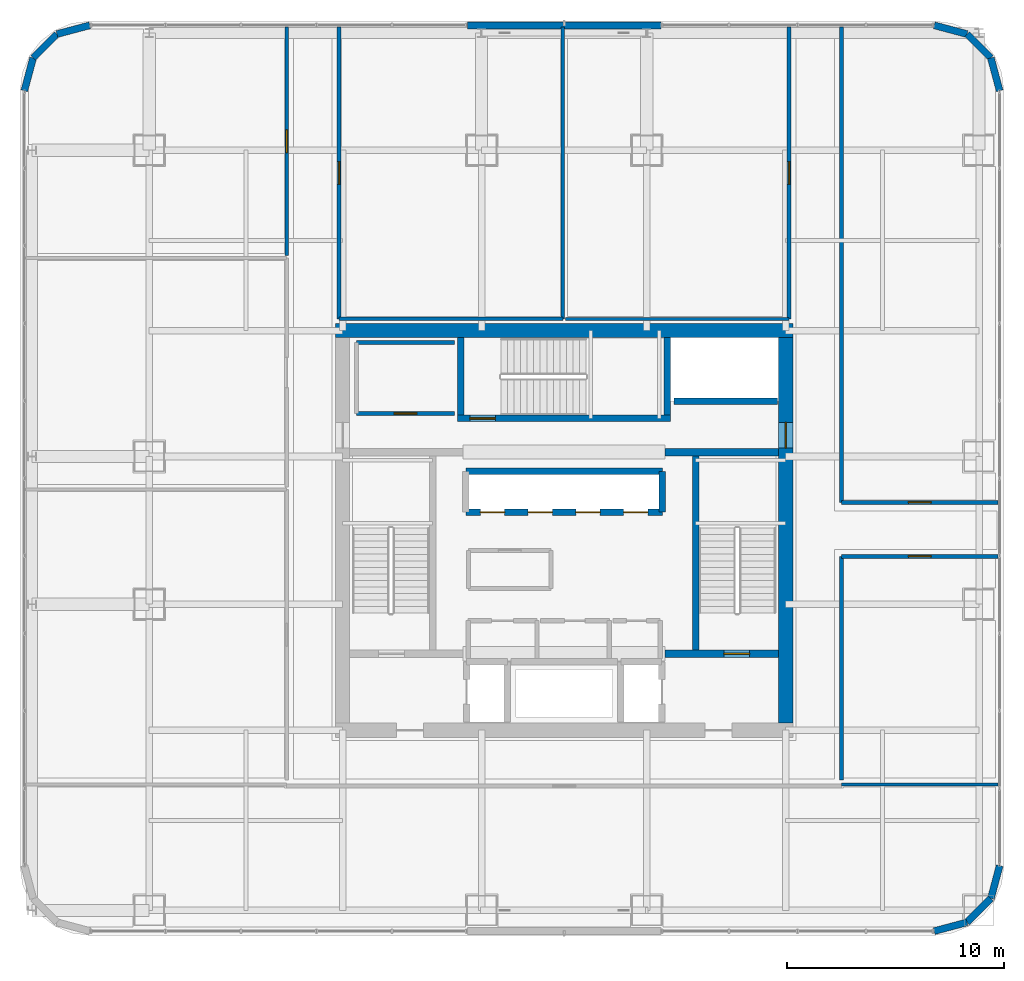
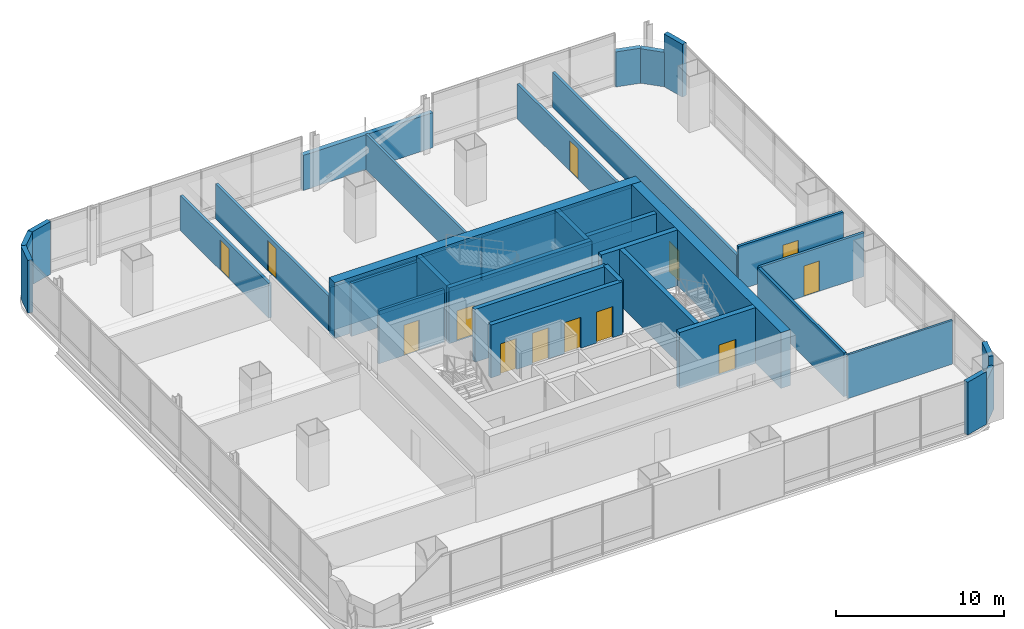
# One storey, part 30 of 38: 35 walls, 13 doors, 13 openings.
"""IFC4 building model written with IfcOpenShell, lengths in metres."""

from ifc_helpers import new_model, si_unit, direction, frame, frame_2d, origin, place, context, subcontext, project, spatial, rectangle, extrude, material, layer, layer_set, type_object, element, fill, save


model = new_model("IFC4")

# Units and contexts
model_context = context("Model", 3, precision=1e-05, world=origin(), true_north=direction((0.0, 1.0)))
body_context = subcontext(model_context, "Body", "Model", "MODEL_VIEW")
ifc_project = project(units=[si_unit("LENGTHUNIT", "METRE"), si_unit("AREAUNIT", "SQUARE_METRE"), si_unit("VOLUMEUNIT", "CUBIC_METRE"), si_unit("PLANEANGLEUNIT", "RADIAN"), si_unit("MASSUNIT", "GRAM", prefix="KILO")], contexts=[model_context])

# Site, building, storey
site_placement = place(None, origin())
site = spatial("IfcSite", under=ifc_project, at=site_placement, CompositionType="ELEMENT")
building_placement = place(site_placement, origin())
building = spatial("IfcBuilding", under=site, at=building_placement, Name="Punatoya Terracotta Tower", CompositionType="ELEMENT")
storey_placement = place(building_placement, frame((0.0, 0.0, 156.0)))
storey = spatial("IfcBuildingStorey", under=building, at=storey_placement, Name="L36", CompositionType="ELEMENT", Elevation=156.0)

# Wall
ifc_material_1 = material(Name="Concrete C60/75", Category="concrete")
ifc_layer_1 = layer(ifc_material_1, 0.64990234375)
ifc_layer_set_1 = layer_set([ifc_layer_1], Name="Concrete C60/75")
wall_type_1 = type_object("IfcWallType", Name="WL-COR-650", PredefinedType="SHEAR", material=ifc_layer_set_1)
wall_1_placement = place(storey_placement, frame((-10.52490234375, 9.199951171875, 0.0), z_axis=(0.0, 0.0, 1.0), x_axis=(1.0, 0.0, 0.0)))
element("IfcWall", 1, at=wall_1_placement, inside=storey, type_object=wall_type_1, Name="L36 Core Shear Wall N", PredefinedType="SHEAR", context=body_context, shape_type="SweptSolid", body=[
    extrude(rectangle(XDim=21.0498046875, YDim=0.64990234375, at=frame_2d((10.52490234375, 0.0))), origin(), (0.0, 0.0, 1.0), 4.050048828125),
])

# Wall, opening, door
wall_2_placement = place(storey_placement, frame((10.199951171875, 8.875, 0.0), z_axis=(0.0, 0.0, 1.0), x_axis=(0.0, -1.0, 0.0)))
wall_2 = element("IfcWall", 2, at=wall_2_placement, inside=storey, type_object=wall_type_1, Name="L36 Core Shear Wall E", PredefinedType="SHEAR", context=body_context, shape_type="SweptSolid", body=[
    extrude(rectangle(XDim=17.75, YDim=0.64990234375, at=frame_2d((8.875, 0.0))), origin(), (0.0, 0.0, 1.0), 4.050048828125),
])
opening_1_placement = place(wall_2_placement, frame((3.905029296875, 0.0, 0.0)))
opening_1 = element("IfcOpeningElement", 3, at=opening_1_placement, cuts=wall_2, Name="Opening SD-01", PredefinedType="OPENING", context=body_context, shape_type="SweptSolid", body=[
    extrude(rectangle(XDim=1.179931640625, YDim=2.199951171875, at=frame_2d((0.58984375, 1.10009765625))), frame((0.0, 0.3349609375, 0.0), z_axis=(0.0, -1.0, 0.0), x_axis=(1.0, 0.0, 0.0)), (0.0, 0.0, 1.0), 0.669921875),
])
ifc_material_2 = material(Name="Galvanised Steel Pressurized Stair Fire Door", Category="steel")
door_type_1 = type_object("IfcDoorType", Name="DR-STR-1180", OperationType="NOTDEFINED", PredefinedType="DOOR", material=ifc_material_2)
door_1_placement = place(opening_1_placement, origin())
door_1 = element("IfcDoor", 4, at=door_1_placement, inside=storey, type_object=door_type_1, Name="L36 Central Lift Lobby East Fire Door", OperationType="SINGLE_SWING_RIGHT", OverallHeight=2.199951171875, OverallWidth=1.179931640625, PredefinedType="DOOR", context=body_context, shape_type="SweptSolid", body=[
    extrude(rectangle(XDim=1.179931640625, YDim=2.199951171875, at=frame_2d((0.58984375, 1.10009765625))), frame((0.0, 0.02490234375, 0.0), z_axis=(0.0, -1.0, 0.0), x_axis=(1.0, 0.0, 0.0)), (0.0, 0.0, 1.0), 0.050048828125),
])
fill(opening_1, door_1)

# Wall
ifc_material_3 = material(Name="Gypsum Fireboard + Steel Stud", Category="steel")
ifc_layer_2 = layer(ifc_material_3, 0.179931640625)
ifc_layer_set_2 = layer_set([ifc_layer_2], Name="Gypsum Fireboard + Steel Stud")
wall_type_2 = type_object("IfcWallType", Name="WL-CORR-180", PredefinedType="PARTITIONING", material=ifc_layer_set_2)
wall_3_placement = place(storey_placement, frame((-5.050048828125, 8.64990234375, 0.0), z_axis=(0.0, 0.0, 1.0), x_axis=(-1.0, 0.0, 0.0)))
element("IfcWall", 5, at=wall_3_placement, inside=storey, type_object=wall_type_2, Name="L36 West Core Records Office Partition 12", PredefinedType="PARTITIONING", context=body_context, shape_type="SweptSolid", body=[
    extrude(rectangle(XDim=4.5, YDim=0.179931640625, at=frame_2d((2.25, 0.0))), origin(), (0.0, 0.0, 1.0), 3.830078125),
])

# Wall, opening, door
wall_4_placement = place(storey_placement, frame((-9.550048828125, 5.3798828125, 0.0), z_axis=(0.0, 0.0, 1.0), x_axis=(1.0, 0.0, 0.0)))
wall_4 = element("IfcWall", 6, at=wall_4_placement, inside=storey, type_object=wall_type_2, Name="L36 West Core Records Office Partition 14", PredefinedType="PARTITIONING", context=body_context, shape_type="SweptSolid", body=[
    extrude(rectangle(XDim=4.5, YDim=0.179931640625, at=frame_2d((2.25, 0.0))), origin(), (0.0, 0.0, 1.0), 3.830078125),
])
opening_2_placement = place(wall_4_placement, frame((1.72509765625, 0.0, 0.0)))
opening_2 = element("IfcOpeningElement", 7, at=opening_2_placement, cuts=wall_4, Name="Opening OD-01", PredefinedType="OPENING", context=body_context, shape_type="SweptSolid", body=[
    extrude(rectangle(XDim=1.050048828125, YDim=2.199951171875, at=frame_2d((0.52490234375, 1.10009765625))), frame((0.0, 0.099853515625, 0.0), z_axis=(0.0, -1.0, 0.0), x_axis=(1.0, 0.0, 0.0)), (0.0, 0.0, 1.0), 0.199951171875),
])
ifc_material_4 = material(Name="Bengal Teak Solid-Core Leaf")
door_type_2 = type_object("IfcDoorType", Name="DR-OFF-1050", OperationType="NOTDEFINED", PredefinedType="DOOR", material=ifc_material_4)
door_2_placement = place(opening_2_placement, origin())
door_2 = element("IfcDoor", 8, at=door_2_placement, inside=storey, type_object=door_type_2, Name="L36 West Records Office Door", OperationType="SINGLE_SWING_LEFT", OverallHeight=2.199951171875, OverallWidth=1.050048828125, PredefinedType="DOOR", context=body_context, shape_type="SweptSolid", body=[
    extrude(rectangle(XDim=1.050048828125, YDim=2.199951171875, at=frame_2d((0.52490234375, 1.10009765625))), frame((0.0, 0.02490234375, 0.0), z_axis=(0.0, -1.0, 0.0), x_axis=(1.0, 0.0, 0.0)), (0.0, 0.0, 1.0), 0.050048828125),
])
fill(opening_2, door_2)

wall_5_placement = place(storey_placement, frame((12.77001953125, -1.199951171875, 0.0), z_axis=(0.0, 0.0, 1.0), x_axis=(1.0, 0.0, 0.0)))
wall_5 = element("IfcWall", 9, at=wall_5_placement, inside=storey, type_object=wall_type_2, Name="L36 Open-Plan Analytical Practice Office Partition 18", PredefinedType="PARTITIONING", context=body_context, shape_type="SweptSolid", body=[
    extrude(rectangle(XDim=7.199951171875, YDim=0.179931640625, at=frame_2d((3.60009765625, 0.0))), origin(), (0.0, 0.0, 1.0), 3.174072265625),
])
opening_3_placement = place(wall_5_placement, frame((3.074951171875, 0.0, 0.0)))
opening_3 = element("IfcOpeningElement", 10, at=opening_3_placement, cuts=wall_5, Name="Opening OD-01", PredefinedType="OPENING", context=body_context, shape_type="SweptSolid", body=[
    extrude(rectangle(XDim=1.050048828125, YDim=2.199951171875, at=frame_2d((0.52490234375, 1.10009765625))), frame((0.0, 0.099853515625, 0.0), z_axis=(0.0, -1.0, 0.0), x_axis=(1.0, 0.0, 0.0)), (0.0, 0.0, 1.0), 0.199951171875),
])
door_3_placement = place(opening_3_placement, origin())
door_3 = element("IfcDoor", 11, at=door_3_placement, inside=storey, type_object=door_type_2, Name="L36 Open-Plan Analytical Practice Office Door", OperationType="SINGLE_SWING_LEFT", OverallHeight=2.199951171875, OverallWidth=1.050048828125, PredefinedType="DOOR", context=body_context, shape_type="SweptSolid", body=[
    extrude(rectangle(XDim=1.050048828125, YDim=2.199951171875, at=frame_2d((0.52490234375, 1.10009765625))), frame((0.0, 0.02490234375, 0.0), z_axis=(0.0, -1.0, 0.0), x_axis=(1.0, 0.0, 0.0)), (0.0, 0.0, 1.0), 0.050048828125),
])
fill(opening_3, door_3)

# Wall
wall_6_placement = place(storey_placement, frame((12.77001953125, -11.489990234375, 0.0), z_axis=(0.0, 0.0, 1.0), x_axis=(0.0, 1.0, 0.0)))
element("IfcWall", 12, at=wall_6_placement, inside=storey, type_object=wall_type_2, Name="L36 Open-Plan Analytical Practice Office Partition 19", PredefinedType="PARTITIONING", context=body_context, shape_type="SweptSolid", body=[
    extrude(rectangle(XDim=10.2900390625, YDim=0.179931640625, at=frame_2d((5.14501953125, 0.0))), origin(), (0.0, 0.0, 1.0), 3.174072265625),
])

# Wall, opening, door
wall_7_placement = place(storey_placement, frame((19.969970703125, 1.2900390625, 0.0), z_axis=(0.0, 0.0, 1.0), x_axis=(-1.0, 0.0, 0.0)))
wall_7 = element("IfcWall", 13, at=wall_7_placement, inside=storey, type_object=wall_type_2, Name="L36 Digital Reference Library Partition 24", PredefinedType="PARTITIONING", context=body_context, shape_type="SweptSolid", body=[
    extrude(rectangle(XDim=7.199951171875, YDim=0.179931640625, at=frame_2d((3.60009765625, 0.0))), origin(), (0.0, 0.0, 1.0), 3.174072265625),
])
opening_4_placement = place(wall_7_placement, frame((3.074951171875, 0.0, 0.0)))
opening_4 = element("IfcOpeningElement", 14, at=opening_4_placement, cuts=wall_7, Name="Opening OD-01", PredefinedType="OPENING", context=body_context, shape_type="SweptSolid", body=[
    extrude(rectangle(XDim=1.050048828125, YDim=2.199951171875, at=frame_2d((0.52490234375, 1.10009765625))), frame((0.0, 0.099853515625, 0.0), z_axis=(0.0, -1.0, 0.0), x_axis=(1.0, 0.0, 0.0)), (0.0, 0.0, 1.0), 0.199951171875),
])
door_4_placement = place(opening_4_placement, origin())
door_4 = element("IfcDoor", 15, at=door_4_placement, inside=storey, type_object=door_type_2, Name="L36 Digital Reference Library Door", OperationType="SINGLE_SWING_RIGHT", OverallHeight=2.199951171875, OverallWidth=1.050048828125, PredefinedType="DOOR", context=body_context, shape_type="SweptSolid", body=[
    extrude(rectangle(XDim=1.050048828125, YDim=2.199951171875, at=frame_2d((0.52490234375, 1.10009765625))), frame((0.0, 0.02490234375, 0.0), z_axis=(0.0, -1.0, 0.0), x_axis=(1.0, 0.0, 0.0)), (0.0, 0.0, 1.0), 0.050048828125),
])
fill(opening_4, door_4)

# Wall
wall_8_placement = place(storey_placement, frame((12.77001953125, 1.2900390625, 0.0), z_axis=(0.0, 0.0, 1.0), x_axis=(0.0, 1.0, 0.0)))
element("IfcWall", 16, at=wall_8_placement, inside=storey, type_object=wall_type_2, Name="L36 Digital Reference Library Partition 25", PredefinedType="PARTITIONING", context=body_context, shape_type="SweptSolid", body=[
    extrude(rectangle(XDim=21.8798828125, YDim=0.179931640625, at=frame_2d((10.93994140625, 0.0))), origin(), (0.0, 0.0, 1.0), 2.5439453125),
])

# Wall, opening, door
wall_9_placement = place(storey_placement, frame((-10.360107421875, 9.739990234375, 0.0), z_axis=(0.0, 0.0, 1.0), x_axis=(0.0, 1.0, 0.0)))
wall_9 = element("IfcWall", 17, at=wall_9_placement, inside=storey, type_object=wall_type_2, Name="L36 Open-Plan Staff Tea Pantry Partition 28", PredefinedType="PARTITIONING", context=body_context, shape_type="SweptSolid", body=[
    extrude(rectangle(XDim=13.429931640625, YDim=0.179931640625, at=frame_2d((6.71484375, 0.0))), origin(), (0.0, 0.0, 1.0), 2.5439453125),
])
opening_5_placement = place(wall_9_placement, frame((6.18994140625, 0.0, 0.0)))
opening_5 = element("IfcOpeningElement", 18, at=opening_5_placement, cuts=wall_9, Name="Opening OD-01", PredefinedType="OPENING", context=body_context, shape_type="SweptSolid", body=[
    extrude(rectangle(XDim=1.050048828125, YDim=2.199951171875, at=frame_2d((0.52490234375, 1.10009765625))), frame((0.0, 0.099853515625, 0.0), z_axis=(0.0, -1.0, 0.0), x_axis=(1.0, 0.0, 0.0)), (0.0, 0.0, 1.0), 0.199951171875),
])
door_5_placement = place(opening_5_placement, origin())
door_5 = element("IfcDoor", 19, at=door_5_placement, inside=storey, type_object=door_type_2, Name="L36 Open-Plan Staff Tea Pantry Door", OperationType="SINGLE_SWING_LEFT", OverallHeight=2.199951171875, OverallWidth=1.050048828125, PredefinedType="DOOR", context=body_context, shape_type="SweptSolid", body=[
    extrude(rectangle(XDim=1.050048828125, YDim=2.199951171875, at=frame_2d((0.52490234375, 1.10009765625))), frame((0.0, 0.02490234375, 0.0), z_axis=(0.0, -1.0, 0.0), x_axis=(1.0, 0.0, 0.0)), (0.0, 0.0, 1.0), 0.050048828125),
])
fill(opening_5, door_5)

wall_10_placement = place(storey_placement, frame((10.360107421875, 23.169921875, 0.0), z_axis=(0.0, 0.0, 1.0), x_axis=(0.0, -1.0, 0.0)))
wall_10 = element("IfcWall", 20, at=wall_10_placement, inside=storey, type_object=wall_type_2, Name="L36 Open-Plan Wellness Quiet Room Partition 30", PredefinedType="PARTITIONING", context=body_context, shape_type="SweptSolid", body=[
    extrude(rectangle(XDim=13.429931640625, YDim=0.179931640625, at=frame_2d((6.71484375, 0.0))), origin(), (0.0, 0.0, 1.0), 2.5439453125),
])
opening_6_placement = place(wall_10_placement, frame((6.18994140625, 0.0, 0.0)))
opening_6 = element("IfcOpeningElement", 21, at=opening_6_placement, cuts=wall_10, Name="Opening OD-01", PredefinedType="OPENING", context=body_context, shape_type="SweptSolid", body=[
    extrude(rectangle(XDim=1.050048828125, YDim=2.199951171875, at=frame_2d((0.52490234375, 1.10009765625))), frame((0.0, 0.099853515625, 0.0), z_axis=(0.0, -1.0, 0.0), x_axis=(1.0, 0.0, 0.0)), (0.0, 0.0, 1.0), 0.199951171875),
])
door_6_placement = place(opening_6_placement, origin())
door_6 = element("IfcDoor", 22, at=door_6_placement, inside=storey, type_object=door_type_2, Name="L36 Open-Plan Wellness Quiet Room Door", OperationType="SINGLE_SWING_RIGHT", OverallHeight=2.199951171875, OverallWidth=1.050048828125, PredefinedType="DOOR", context=body_context, shape_type="SweptSolid", body=[
    extrude(rectangle(XDim=1.050048828125, YDim=2.199951171875, at=frame_2d((0.52490234375, 1.10009765625))), frame((0.0, 0.02490234375, 0.0), z_axis=(0.0, -1.0, 0.0), x_axis=(1.0, 0.0, 0.0)), (0.0, 0.0, 1.0), 0.050048828125),
])
fill(opening_6, door_6)

wall_11_placement = place(storey_placement, frame((-12.77001953125, 23.169921875, 0.0), z_axis=(0.0, 0.0, 1.0), x_axis=(0.0, -1.0, 0.0)))
wall_11 = element("IfcWall", 23, at=wall_11_placement, inside=storey, type_object=wall_type_2, Name="L36 Open-Plan Systems Engineering Office Partition 31", PredefinedType="PARTITIONING", context=body_context, shape_type="SweptSolid", body=[
    extrude(rectangle(XDim=10.52001953125, YDim=0.179931640625, at=frame_2d((5.260009765625, 0.0))), origin(), (0.0, 0.0, 1.0), 2.5439453125),
])
opening_7_placement = place(wall_11_placement, frame((4.735107421875, 0.0, 0.0)))
opening_7 = element("IfcOpeningElement", 24, at=opening_7_placement, cuts=wall_11, Name="Opening OD-01", PredefinedType="OPENING", context=body_context, shape_type="SweptSolid", body=[
    extrude(rectangle(XDim=1.050048828125, YDim=2.199951171875, at=frame_2d((0.52490234375, 1.10009765625))), frame((0.0, 0.099853515625, 0.0), z_axis=(0.0, -1.0, 0.0), x_axis=(1.0, 0.0, 0.0)), (0.0, 0.0, 1.0), 0.199951171875),
])
door_7_placement = place(opening_7_placement, origin())
door_7 = element("IfcDoor", 25, at=door_7_placement, inside=storey, type_object=door_type_2, Name="L36 Open-Plan Systems Engineering Office Door", OperationType="SINGLE_SWING_LEFT", OverallHeight=2.199951171875, OverallWidth=1.050048828125, PredefinedType="DOOR", context=body_context, shape_type="SweptSolid", body=[
    extrude(rectangle(XDim=1.050048828125, YDim=2.199951171875, at=frame_2d((0.52490234375, 1.10009765625))), frame((0.0, 0.02490234375, 0.0), z_axis=(0.0, -1.0, 0.0), x_axis=(1.0, 0.0, 0.0)), (0.0, 0.0, 1.0), 0.050048828125),
])
fill(opening_7, door_7)

# Walls
ifc_material_5 = material(Name="Precast concrete C40/50", Category="concrete")
ifc_layer_3 = layer(ifc_material_5, 0.320068359375)
ifc_layer_set_3 = layer_set([ifc_layer_3], Name="Precast concrete C40/50")
wall_type_3 = type_object("IfcWallType", Name="WL-EXT-320", PredefinedType="SOLIDWALL", material=ifc_layer_set_3)
wall_12_placement = place(storey_placement, frame((17.036865234375, -18.449951171875, 0.0), z_axis=(0.0, 0.0, 1.0), x_axis=(0.966224582397, 0.257701486942, 0.0)))
element("IfcWall", 26, at=wall_12_placement, inside=storey, type_object=wall_type_3, Name="L36 Rounded Terracotta Corner Pier 02", PredefinedType="SOLIDWALL", context=body_context, shape_type="SweptSolid", body=[
    extrude(rectangle(XDim=1.565185546875, YDim=0.320068359375, at=frame_2d((0.78271484375, 0.0))), origin(), (0.0, 0.0, 1.0), 3.830078125),
])
wall_13_placement = place(storey_placement, frame((18.549072265625, -18.046630859375, 0.0), z_axis=(0.0, 0.0, 1.0), x_axis=(0.707106781187, 0.707106781187, 0.0)))
element("IfcWall", 27, at=wall_13_placement, inside=storey, type_object=wall_type_3, Name="L36 Rounded Terracotta Corner Pier 03", PredefinedType="SOLIDWALL", context=body_context, shape_type="SweptSolid", body=[
    extrude(rectangle(XDim=1.552001953125, YDim=0.320068359375, at=frame_2d((0.77587890625, 0.0))), origin(), (0.0, 0.0, 1.0), 3.174072265625),
])
for number, where, z_axis, x_axis, name in (
    (28, (19.646484375, -16.94921875, 0.0), (0.0, 0.0, 1.0), (0.257847112249, 0.966185730957, 0.0), "L36 Rounded Terracotta Corner Pier 04"),
    (29, (20.050048828125, 20.23681640625, 0.0), (0.0, 0.0, 1.0), (-0.257847112249, 0.966185730957, 0.0), "L36 Rounded Terracotta Corner Pier 06"),
):
    element("IfcWall", number, at=place(storey_placement, frame(where, z_axis=z_axis, x_axis=x_axis)), inside=storey, type_object=wall_type_3, Name=name, PredefinedType="SOLIDWALL", context=body_context, shape_type="SweptSolid", body=[
        extrude(rectangle(XDim=1.565185546875, YDim=0.320068359375, at=frame_2d((0.78271484375, 0.0))), origin(), (0.0, 0.0, 1.0), 3.830078125),
    ])
wall_14_placement = place(storey_placement, frame((19.646484375, 21.7490234375, 0.0), z_axis=(0.0, 0.0, 1.0), x_axis=(-0.707028130747, 0.707185422879, 0.0)))
element("IfcWall", 30, at=wall_14_placement, inside=storey, type_object=wall_type_3, Name="L36 Rounded Terracotta Corner Pier 07", PredefinedType="SOLIDWALL", context=body_context, shape_type="SweptSolid", body=[
    extrude(rectangle(XDim=1.55224609375, YDim=0.320068359375, at=frame_2d((0.776123046875, 0.0))), origin(), (0.0, 0.0, 1.0), 2.50390625),
])
wall_15_placement = place(storey_placement, frame((18.549072265625, 22.8466796875, 0.0), z_axis=(0.0, 0.0, 1.0), x_axis=(-0.966224582397, 0.257701486942, 0.0)))
element("IfcWall", 31, at=wall_15_placement, inside=storey, type_object=wall_type_3, Name="L36 Rounded Terracotta Corner Pier 08", PredefinedType="SOLIDWALL", context=body_context, shape_type="SweptSolid", body=[
    extrude(rectangle(XDim=1.565185546875, YDim=0.320068359375, at=frame_2d((0.78271484375, 0.0))), origin(), (0.0, 0.0, 1.0), 2.5439453125),
])
wall_16_placement = place(storey_placement, frame((4.449951171875, 23.25, 0.0), z_axis=(0.0, 0.0, 1.0), x_axis=(-1.0, 0.0, 0.0)))
element("IfcWall", 32, at=wall_16_placement, inside=storey, type_object=wall_type_3, Name="L36 Terracotta Braced Facade Wall N1", PredefinedType="SOLIDWALL", context=body_context, shape_type="SweptSolid", body=[
    extrude(rectangle(XDim=8.89990234375, YDim=0.320068359375, at=frame_2d((4.449951171875, 0.0))), origin(), (0.0, 0.0, 1.0), 2.5439453125),
])
wall_17_placement = place(storey_placement, frame((-21.8369140625, 23.25, 0.0), z_axis=(0.0, 0.0, 1.0), x_axis=(-0.966224582397, -0.257701486942, 0.0)))
element("IfcWall", 33, at=wall_17_placement, inside=storey, type_object=wall_type_3, Name="L36 Rounded Terracotta Corner Pier 10", PredefinedType="SOLIDWALL", context=body_context, shape_type="SweptSolid", body=[
    extrude(rectangle(XDim=1.565185546875, YDim=0.320068359375, at=frame_2d((0.78271484375, 0.0))), origin(), (0.0, 0.0, 1.0), 3.830078125),
])
wall_18_placement = place(storey_placement, frame((-23.34912109375, 22.8466796875, 0.0), z_axis=(0.0, 0.0, 1.0), x_axis=(-0.707028130747, -0.707185422879, 0.0)))
element("IfcWall", 34, at=wall_18_placement, inside=storey, type_object=wall_type_3, Name="L36 Rounded Terracotta Corner Pier 11", PredefinedType="SOLIDWALL", context=body_context, shape_type="SweptSolid", body=[
    extrude(rectangle(XDim=1.55224609375, YDim=0.320068359375, at=frame_2d((0.776123046875, 0.0))), origin(), (0.0, 0.0, 1.0), 3.830078125),
])
wall_19_placement = place(storey_placement, frame((-24.446533203125, 21.7490234375, 0.0), z_axis=(0.0, 0.0, 1.0), x_axis=(-0.257847112249, -0.966185730957, 0.0)))
element("IfcWall", 35, at=wall_19_placement, inside=storey, type_object=wall_type_3, Name="L36 Rounded Terracotta Corner Pier 12", PredefinedType="SOLIDWALL", context=body_context, shape_type="SweptSolid", body=[
    extrude(rectangle(XDim=1.565185546875, YDim=0.320068359375, at=frame_2d((0.78271484375, 0.0))), origin(), (0.0, 0.0, 1.0), 3.830078125),
])
ifc_material_6 = material(Name="Acoustic Gypsum + Steel Stud", Category="steel")
ifc_layer_4 = layer(ifc_material_6, 0.139892578125)
ifc_layer_set_4 = layer_set([ifc_layer_4], Name="Acoustic Gypsum + Steel Stud")
wall_type_4 = type_object("IfcWallType", Name="WL-OFF-140", PredefinedType="PARTITIONING", material=ifc_layer_set_4)
wall_20_placement = place(storey_placement, frame((12.77001953125, -11.7099609375, 0.0), z_axis=(0.0, 0.0, 1.0), x_axis=(1.0, 0.0, 0.0)))
element("IfcWall", 36, at=wall_20_placement, inside=storey, type_object=wall_type_4, Name="L36 Open Workplace Studio Partition 17", PredefinedType="PARTITIONING", context=body_context, shape_type="SweptSolid", body=[
    extrude(rectangle(XDim=7.199951171875, YDim=0.139892578125, at=frame_2d((3.60009765625, 0.0))), origin(), (0.0, 0.0, 1.0), 3.174072265625),
])
wall_21_placement = place(storey_placement, frame((10.360107421875, 9.739990234375, 0.0), z_axis=(0.0, 0.0, 1.0), x_axis=(-1.0, 0.0, 0.0)))
element("IfcWall", 37, at=wall_21_placement, inside=storey, type_object=wall_type_4, Name="L36 Open-Plan Wellness Quiet Room Partition 29", PredefinedType="PARTITIONING", context=body_context, shape_type="SweptSolid", body=[
    extrude(rectangle(XDim=10.300048828125, YDim=0.139892578125, at=frame_2d((5.14990234375, 0.0))), origin(), (0.0, 0.0, 1.0), 3.174072265625),
])
ifc_material_7 = material(Name="Concrete C40/50", Category="concrete")
ifc_layer_5 = layer(ifc_material_7, 0.300048828125)
ifc_layer_set_5 = layer_set([ifc_layer_5], Name="Concrete C40/50")
wall_type_5 = type_object("IfcWallType", Name="WL-SHF-300", PredefinedType="SOLIDWALL", material=ifc_layer_set_5)
wall_22_placement = place(storey_placement, frame((6.050048828125, 3.449951171875, 0.0), z_axis=(0.0, 0.0, 1.0), x_axis=(0.0, -1.0, 0.0)))
element("IfcWall", 38, at=wall_22_placement, inside=storey, type_object=wall_type_5, Name="L36 Structural Stair Shaft Wall SW-ST2-W", PredefinedType="SOLIDWALL", context=body_context, shape_type="SweptSolid", body=[
    extrude(rectangle(XDim=8.949951171875, YDim=0.300048828125, at=frame_2d((4.47509765625, 0.0))), origin(), (0.0, 0.0, 1.0), 4.050048828125),
])
for number, where, z_axis, x_axis, name in (
    (39, (-4.75, 5.300048828125, 0.0), (0.0, 0.0, 1.0), (0.0, 1.0, 0.0), "L36 Structural Stair Shaft Wall SW-ST3-W"),
    (40, (4.75, 8.875, 0.0), (0.0, 0.0, 1.0), (0.0, -1.0, 0.0), "L36 Structural Stair Shaft Wall SW-ST3-E"),
):
    element("IfcWall", number, at=place(storey_placement, frame(where, z_axis=z_axis, x_axis=x_axis)), inside=storey, type_object=wall_type_5, Name=name, PredefinedType="SOLIDWALL", context=body_context, shape_type="SweptSolid", body=[
        extrude(rectangle(XDim=3.574951171875, YDim=0.300048828125, at=frame_2d((1.78759765625, 0.0))), origin(), (0.0, 0.0, 1.0), 4.050048828125),
    ])

# Wall, opening, door
wall_23_placement = place(storey_placement, frame((-4.89990234375, 5.14990234375, 0.0), z_axis=(0.0, 0.0, 1.0), x_axis=(1.0, 0.0, 0.0)))
wall_23 = element("IfcWall", 41, at=wall_23_placement, inside=storey, type_object=wall_type_5, Name="L36 Structural Stair Shaft Wall SW-ST3-S", PredefinedType="SOLIDWALL", context=body_context, shape_type="SweptSolid", body=[
    extrude(rectangle(XDim=9.7998046875, YDim=0.300048828125, at=frame_2d((4.89990234375, 0.0))), origin(), (0.0, 0.0, 1.0), 4.050048828125),
])
opening_8_placement = place(wall_23_placement, frame((0.56005859375, 0.0, 0.0)))
opening_8 = element("IfcOpeningElement", 42, at=opening_8_placement, cuts=wall_23, Name="Opening SD-01", PredefinedType="OPENING", context=body_context, shape_type="SweptSolid", body=[
    extrude(rectangle(XDim=1.179931640625, YDim=2.199951171875, at=frame_2d((0.58984375, 1.10009765625))), frame((0.0, 0.159912109375, 0.0), z_axis=(0.0, -1.0, 0.0), x_axis=(1.0, 0.0, 0.0)), (0.0, 0.0, 1.0), 0.320068359375),
])
door_8_placement = place(opening_8_placement, origin())
door_8 = element("IfcDoor", 43, at=door_8_placement, inside=storey, type_object=door_type_1, Name="L36 Stair ST-3 Core Lobby Fire Door", OperationType="SINGLE_SWING_LEFT", OverallHeight=2.199951171875, OverallWidth=1.179931640625, PredefinedType="DOOR", context=body_context, shape_type="SweptSolid", body=[
    extrude(rectangle(XDim=1.179931640625, YDim=2.199951171875, at=frame_2d((0.58984375, 1.10009765625))), frame((0.0, 0.02490234375, 0.0), z_axis=(0.0, -1.0, 0.0), x_axis=(1.0, 0.0, 0.0)), (0.0, 0.0, 1.0), 0.050048828125),
])
fill(opening_8, door_8)

# Wall, openings, doors
wall_24_placement = place(storey_placement, frame((-4.52001953125, 0.840087890625, 0.0), z_axis=(0.0, 0.0, 1.0), x_axis=(1.0, 0.0, 0.0)))
wall_24 = element("IfcWall", 44, at=wall_24_placement, inside=storey, type_object=wall_type_5, Name="L36 North Lift Bank Front Shaft Wall", PredefinedType="SOLIDWALL", context=body_context, shape_type="SweptSolid", body=[
    extrude(rectangle(XDim=9.0400390625, YDim=0.300048828125, at=frame_2d((4.52001953125, 0.0))), origin(), (0.0, 0.0, 1.0), 3.830078125),
])
opening_9_placement = place(wall_24_placement, frame((0.659912109375, 0.0, 0.0)))
opening_9 = element("IfcOpeningElement", 45, at=opening_9_placement, cuts=wall_24, Name="Opening LD-02", PredefinedType="OPENING", context=body_context, shape_type="SweptSolid", body=[
    extrude(rectangle(XDim=1.1201171875, YDim=2.25, at=frame_2d((0.56005859375, 1.125))), frame((0.0, 0.159912109375, 0.0), z_axis=(0.0, -1.0, 0.0), x_axis=(1.0, 0.0, 0.0)), (0.0, 0.0, 1.0), 0.320068359375),
])
opening_10_placement = place(wall_24_placement, frame((2.860107421875, 0.0, 0.0)))
opening_10 = element("IfcOpeningElement", 46, at=opening_10_placement, cuts=wall_24, Name="Opening LD-02", PredefinedType="OPENING", context=body_context, shape_type="SweptSolid", body=[
    extrude(rectangle(XDim=1.1201171875, YDim=2.25, at=frame_2d((0.56005859375, 1.125))), frame((0.0, 0.159912109375, 0.0), z_axis=(0.0, -1.0, 0.0), x_axis=(1.0, 0.0, 0.0)), (0.0, 0.0, 1.0), 0.320068359375),
])
opening_11_placement = place(wall_24_placement, frame((5.06005859375, 0.0, 0.0)))
opening_11 = element("IfcOpeningElement", 47, at=opening_11_placement, cuts=wall_24, Name="Opening LD-02", PredefinedType="OPENING", context=body_context, shape_type="SweptSolid", body=[
    extrude(rectangle(XDim=1.1201171875, YDim=2.25, at=frame_2d((0.56005859375, 1.125))), frame((0.0, 0.159912109375, 0.0), z_axis=(0.0, -1.0, 0.0), x_axis=(1.0, 0.0, 0.0)), (0.0, 0.0, 1.0), 0.320068359375),
])
opening_12_placement = place(wall_24_placement, frame((7.260009765625, 0.0, 0.0)))
opening_12 = element("IfcOpeningElement", 48, at=opening_12_placement, cuts=wall_24, Name="Opening LD-02", PredefinedType="OPENING", context=body_context, shape_type="SweptSolid", body=[
    extrude(rectangle(XDim=1.1201171875, YDim=2.25, at=frame_2d((0.56005859375, 1.125))), frame((0.0, 0.159912109375, 0.0), z_axis=(0.0, -1.0, 0.0), x_axis=(1.0, 0.0, 0.0)), (0.0, 0.0, 1.0), 0.320068359375),
])
ifc_material_8 = material(Name="Stainless Steel Lift Landing Door", Category="steel")
door_type_3 = type_object("IfcDoorType", Name="DR-LND-1120", OperationType="NOTDEFINED", PredefinedType="DOOR", material=ifc_material_8)
door_9_placement = place(opening_9_placement, origin())
door_9 = element("IfcDoor", 49, at=door_9_placement, inside=storey, type_object=door_type_3, Name="L36 Lift PL-M1 Sliding Landing Door", OperationType="DOUBLE_DOOR_SLIDING", OverallHeight=2.25, OverallWidth=1.1201171875, PredefinedType="DOOR", context=body_context, shape_type="SweptSolid", body=[
    extrude(rectangle(XDim=1.1201171875, YDim=2.25, at=frame_2d((0.56005859375, 1.125))), frame((0.0, 0.02490234375, 0.0), z_axis=(0.0, -1.0, 0.0), x_axis=(1.0, 0.0, 0.0)), (0.0, 0.0, 1.0), 0.050048828125),
])
fill(opening_9, door_9)
door_10_placement = place(opening_10_placement, origin())
door_10 = element("IfcDoor", 50, at=door_10_placement, inside=storey, type_object=door_type_3, Name="L36 Lift PL-M2 Sliding Landing Door", OperationType="DOUBLE_DOOR_SLIDING", OverallHeight=2.25, OverallWidth=1.1201171875, PredefinedType="DOOR", context=body_context, shape_type="SweptSolid", body=[
    extrude(rectangle(XDim=1.1201171875, YDim=2.25, at=frame_2d((0.56005859375, 1.125))), frame((0.0, 0.02490234375, 0.0), z_axis=(0.0, -1.0, 0.0), x_axis=(1.0, 0.0, 0.0)), (0.0, 0.0, 1.0), 0.050048828125),
])
fill(opening_10, door_10)
door_11_placement = place(opening_11_placement, origin())
door_11 = element("IfcDoor", 51, at=door_11_placement, inside=storey, type_object=door_type_3, Name="L36 Lift PL-M3 Sliding Landing Door", OperationType="DOUBLE_DOOR_SLIDING", OverallHeight=2.25, OverallWidth=1.1201171875, PredefinedType="DOOR", context=body_context, shape_type="SweptSolid", body=[
    extrude(rectangle(XDim=1.1201171875, YDim=2.25, at=frame_2d((0.56005859375, 1.125))), frame((0.0, 0.02490234375, 0.0), z_axis=(0.0, -1.0, 0.0), x_axis=(1.0, 0.0, 0.0)), (0.0, 0.0, 1.0), 0.050048828125),
])
fill(opening_11, door_11)
door_12_placement = place(opening_12_placement, origin())
door_12 = element("IfcDoor", 52, at=door_12_placement, inside=storey, type_object=door_type_3, Name="L36 Lift PL-M4 Sliding Landing Door", OperationType="DOUBLE_DOOR_SLIDING", OverallHeight=2.25, OverallWidth=1.1201171875, PredefinedType="DOOR", context=body_context, shape_type="SweptSolid", body=[
    extrude(rectangle(XDim=1.1201171875, YDim=2.25, at=frame_2d((0.56005859375, 1.125))), frame((0.0, 0.02490234375, 0.0), z_axis=(0.0, -1.0, 0.0), x_axis=(1.0, 0.0, 0.0)), (0.0, 0.0, 1.0), 0.050048828125),
])
fill(opening_12, door_12)

# Walls
wall_25_placement = place(storey_placement, frame((-4.52001953125, 2.719970703125, 0.0), z_axis=(0.0, 0.0, 1.0), x_axis=(1.0, 0.0, 0.0)))
element("IfcWall", 53, at=wall_25_placement, inside=storey, type_object=wall_type_5, Name="L36 North Lift Bank Rear Shaft Wall", PredefinedType="SOLIDWALL", context=body_context, shape_type="SweptSolid", body=[
    extrude(rectangle(XDim=9.0400390625, YDim=0.300048828125, at=frame_2d((4.52001953125, 0.0))), origin(), (0.0, 0.0, 1.0), 3.830078125),
])
wall_26_placement = place(storey_placement, frame((4.52001953125, 0.840087890625, 0.0), z_axis=(0.0, 0.0, 1.0), x_axis=(0.0, 1.0, 0.0)))
element("IfcWall", 54, at=wall_26_placement, inside=storey, type_object=wall_type_5, Name="L36 North Lift Bank East End Wall", PredefinedType="SOLIDWALL", context=body_context, shape_type="SweptSolid", body=[
    extrude(rectangle(XDim=1.8798828125, YDim=0.300048828125, at=frame_2d((0.93994140625, 0.0))), origin(), (0.0, 0.0, 1.0), 3.830078125),
])
wall_27_placement = place(storey_placement, frame((5.06005859375, 5.949951171875, 0.0), z_axis=(0.0, 0.0, 1.0), x_axis=(1.0, 0.0, 0.0)))
element("IfcWall", 55, at=wall_27_placement, inside=storey, type_object=wall_type_5, Name="L36 Shuttle SL-2 South Hoistway Wall", PredefinedType="SOLIDWALL", context=body_context, shape_type="SweptSolid", body=[
    extrude(rectangle(XDim=4.760009765625, YDim=0.300048828125, at=frame_2d((2.3798828125, 0.0))), origin(), (0.0, 0.0, 1.0), 3.830078125),
])

# Wall, opening, door
ifc_material_9 = material(Name="Concrete C50/60", Category="concrete")
ifc_layer_6 = layer(ifc_material_9, 0.35009765625)
ifc_layer_set_6 = layer_set([ifc_layer_6], Name="Concrete C50/60")
wall_type_6 = type_object("IfcWallType", Name="WL-SHF-350", PredefinedType="SOLIDWALL", material=ifc_layer_set_6)
wall_28_placement = place(storey_placement, frame((4.64990234375, -5.679931640625, 0.0), z_axis=(0.0, 0.0, 1.0), x_axis=(1.0, 0.0, 0.0)))
wall_28 = element("IfcWall", 56, at=wall_28_placement, inside=storey, type_object=wall_type_6, Name="L36 Core Web Wall CSW-R", PredefinedType="SOLIDWALL", context=body_context, shape_type="SweptSolid", body=[
    extrude(rectangle(XDim=5.22509765625, YDim=0.35009765625, at=frame_2d((2.612548828125, 0.0))), origin(), (0.0, 0.0, 1.0), 4.050048828125),
])
opening_13_placement = place(wall_28_placement, frame((2.7099609375, 0.0, 0.0)))
opening_13 = element("IfcOpeningElement", 57, at=opening_13_placement, cuts=wall_28, Name="Opening SD-01", PredefinedType="OPENING", context=body_context, shape_type="SweptSolid", body=[
    extrude(rectangle(XDim=1.179931640625, YDim=2.199951171875, at=frame_2d((0.58984375, 1.10009765625))), frame((0.0, 0.18505859375, 0.0), z_axis=(0.0, -1.0, 0.0), x_axis=(1.0, 0.0, 0.0)), (0.0, 0.0, 1.0), 0.3701171875),
])
door_13_placement = place(opening_13_placement, origin())
door_13 = element("IfcDoor", 58, at=door_13_placement, inside=storey, type_object=door_type_1, Name="L36 Stair ST-2 Smokeproof Lobby Fire Door", OperationType="SINGLE_SWING_RIGHT", OverallHeight=2.199951171875, OverallWidth=1.179931640625, PredefinedType="DOOR", context=body_context, shape_type="SweptSolid", body=[
    extrude(rectangle(XDim=1.179931640625, YDim=2.199951171875, at=frame_2d((0.58984375, 1.10009765625))), frame((0.0, 0.02490234375, 0.0), z_axis=(0.0, -1.0, 0.0), x_axis=(1.0, 0.0, 0.0)), (0.0, 0.0, 1.0), 0.050048828125),
])
fill(opening_13, door_13)

# Walls
wall_29_placement = place(storey_placement, frame((4.64990234375, 3.60009765625, 0.0), z_axis=(0.0, 0.0, 1.0), x_axis=(1.0, 0.0, 0.0)))
element("IfcWall", 59, at=wall_29_placement, inside=storey, type_object=wall_type_6, Name="L36 Core Web Wall CNW-R", PredefinedType="SOLIDWALL", context=body_context, shape_type="SweptSolid", body=[
    extrude(rectangle(XDim=5.22509765625, YDim=0.35009765625, at=frame_2d((2.612548828125, 0.0))), origin(), (0.0, 0.0, 1.0), 4.050048828125),
])
ifc_material_10 = material(Name="Masonry Blockwork + Ceramic Tile", Category="masonry")
ifc_layer_7 = layer(ifc_material_10, 0.159912109375)
ifc_layer_set_7 = layer_set([ifc_layer_7], Name="Masonry Blockwork + Ceramic Tile")
wall_type_7 = type_object("IfcWallType", Name="WL-WET-160", PredefinedType="PARTITIONING", material=ifc_layer_set_7)
wall_30_placement = place(storey_placement, frame((-0.06005859375, 23.169921875, 0.0), z_axis=(0.0, 0.0, 1.0), x_axis=(0.0, -1.0, 0.0)))
element("IfcWall", 60, at=wall_30_placement, inside=storey, type_object=wall_type_7, Name="L36 Open-Plan Staff Tea Pantry Partition 26", PredefinedType="PARTITIONING", context=body_context, shape_type="SweptSolid", body=[
    extrude(rectangle(XDim=13.429931640625, YDim=0.159912109375, at=frame_2d((6.71484375, 0.0))), origin(), (0.0, 0.0, 1.0), 2.5439453125),
])
wall_31_placement = place(storey_placement, frame((-0.06005859375, 9.739990234375, 0.0), z_axis=(0.0, 0.0, 1.0), x_axis=(-1.0, 0.0, 0.0)))
element("IfcWall", 61, at=wall_31_placement, inside=storey, type_object=wall_type_7, Name="L36 Open-Plan Staff Tea Pantry Partition 27", PredefinedType="PARTITIONING", context=body_context, shape_type="SweptSolid", body=[
    extrude(rectangle(XDim=10.300048828125, YDim=0.159912109375, at=frame_2d((5.14990234375, 0.0))), origin(), (0.0, 0.0, 1.0), 3.174072265625),
])

save(model, "model.ifc")
